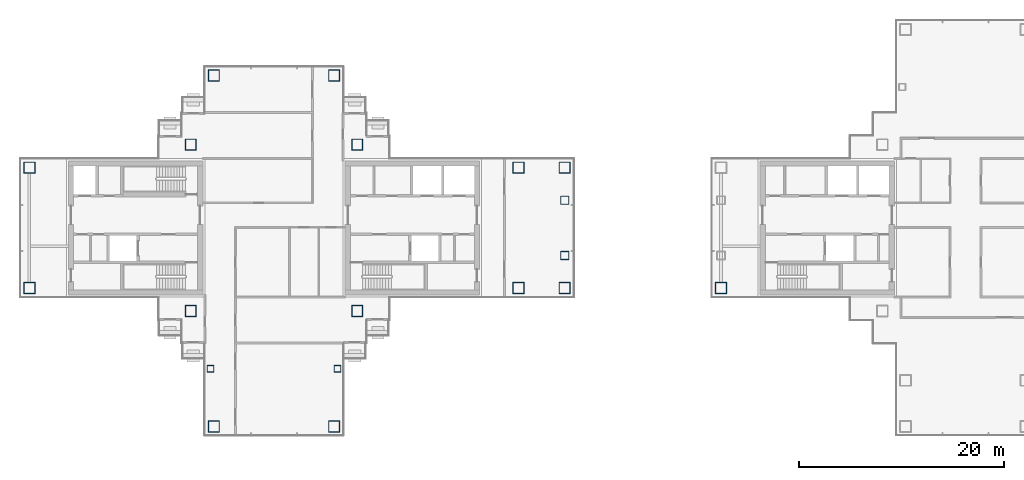
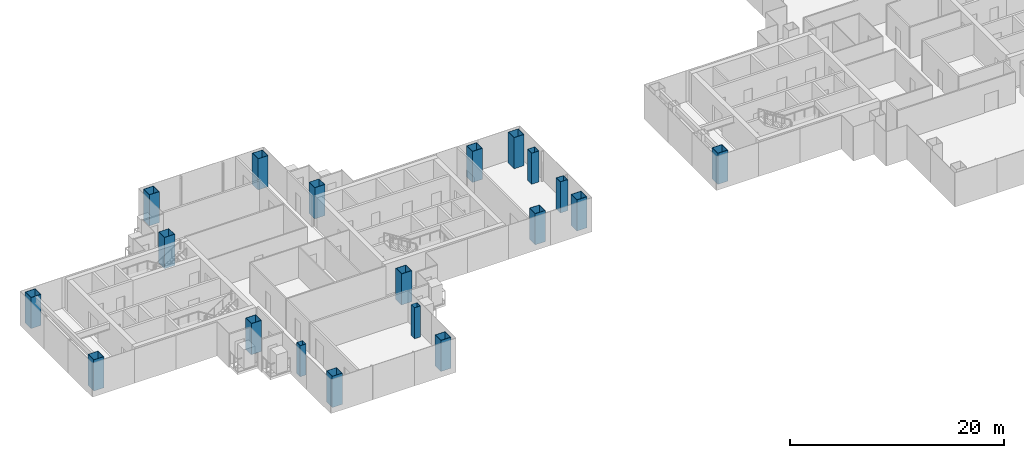
# One storey, part 1 of 16: 19 columns.
"""IFC4 building model written with IfcOpenShell, lengths in metres."""

from ifc_helpers import new_model, si_unit, direction, frame, origin, origin_2d, place, context, subcontext, project, spatial, hollow_rectangle, extrude, material, material_profile, profile_set, type_object, element, save


model = new_model("IFC4")

# Units and contexts
model_context = context("Model", 3, precision=1e-05, world=origin(), true_north=direction((0.0, 1.0)))
body_context = subcontext(model_context, "Body", "Model", "MODEL_VIEW")
ifc_project = project(units=[si_unit("LENGTHUNIT", "METRE"), si_unit("AREAUNIT", "SQUARE_METRE"), si_unit("VOLUMEUNIT", "CUBIC_METRE"), si_unit("PLANEANGLEUNIT", "RADIAN"), si_unit("MASSUNIT", "GRAM", prefix="KILO")], contexts=[model_context])

# Site, building, storey
site_placement = place(None, origin())
site = spatial("IfcSite", under=ifc_project, at=site_placement, CompositionType="ELEMENT")
building_placement = place(site_placement, origin())
building = spatial("IfcBuilding", under=site, at=building_placement, Name="Shamsa Quay Exchange Towers", CompositionType="ELEMENT")
storey_placement = place(building_placement, frame((0.0, 0.0, 142.800048828125)))
storey = spatial("IfcBuildingStorey", under=building, at=storey_placement, Name="L33", CompositionType="ELEMENT", Elevation=142.800048828125)

# Columns
ifc_material_1 = material(Name="Concrete-filled steel tube S355 / C80/95", Category="concrete")
ifc_material_profile_1 = material_profile(ifc_material_1, hollow_rectangle(XDim=1.10009765625, YDim=1.10009765625, WallThickness=0.0400390625, at=origin_2d()), Name="CFT 1100x1100x40")
ifc_profile_set_1 = profile_set([ifc_material_profile_1], Name="Concrete-filled steel tube S355 / C80/95")
column_type_1 = type_object("IfcColumnType", Name="Column CFT 1100x1100x40", PredefinedType="COLUMN", material=ifc_profile_set_1)
for number, where, name in (
    (1, (-25.625, 8.125, 0.0), "Mega column T1-CM01"),
    (2, (-25.625, -8.125, 0.0), "Mega column T1-CM02"),
    (3, (-41.875, 8.125, 0.0), "Mega column T1-CM03"),
    (4, (-41.875, -8.125, 0.0), "Mega column T1-CM04"),
    (5, (-9.875, -5.875, 0.0), "Mega column T1-CM05"),
    (6, (-5.375, -5.875, 0.0), "Mega column T1-CM06"),
    (7, (-9.875, 5.875, 0.0), "Mega column T1-CM07"),
    (8, (-5.375, 5.875, 0.0), "Mega column T1-CM08"),
    (9, (-57.625, -5.875, 0.0), "Mega column T1-CM09"),
    (10, (-57.625, 5.875, 0.0), "Mega column T1-CM11"),
    (11, (-39.625, 14.875, 0.0), "Mega column T1-CM13"),
    (12, (-27.875, 14.875, 0.0), "Mega column T1-CM16"),
    (13, (-39.625, -19.375, 0.0), "Mega column T1-CM20"),
    (14, (-27.875, -19.375, 0.0), "Mega column T1-CM23"),
    (15, (9.875, -5.875, 0.0), "Mega column T2-CM19"),
):
    element("IfcColumn", number, at=place(storey_placement, frame(where)), inside=storey, type_object=column_type_1, Name=name, PredefinedType="COLUMN", context=body_context, shape_type="SweptSolid", body=[
        extrude(hollow_rectangle(XDim=1.10009765625, YDim=1.10009765625, WallThickness=0.0400390625, at=origin_2d()), origin(), (0.0, 0.0, 1.0), 3.550048828125),
    ])
ifc_material_2 = material(Name="Concrete-filled steel tube S355 / C60/75", Category="concrete")
ifc_material_profile_2 = material_profile(ifc_material_2, hollow_rectangle(XDim=0.64990234375, YDim=0.64990234375, WallThickness=0.02001953125, at=origin_2d()), Name="CFT 650x650x20")
ifc_profile_set_2 = profile_set([ifc_material_profile_2], Name="Concrete-filled steel tube S355 / C60/75")
column_type_2 = type_object("IfcColumnType", Name="Column CFT 650x650x20", PredefinedType="COLUMN", material=ifc_profile_set_2)
for number, where, name in (
    (16, (-39.9375, -13.75, 0.0), "Perimeter column T1-CP19"),
    (17, (-27.5625, -13.75, 0.0), "Perimeter column T1-CP22"),
):
    element("IfcColumn", number, at=place(storey_placement, frame(where)), inside=storey, type_object=column_type_2, Name=name, PredefinedType="COLUMN", context=body_context, shape_type="SweptSolid", body=[
        extrude(hollow_rectangle(XDim=0.64990234375, YDim=0.64990234375, WallThickness=0.02001953125, at=origin_2d()), origin(), (0.0, 0.0, 1.0), 3.550048828125),
    ])
ifc_material_3 = material(Name="Concrete-filled steel tube S355 / C70/85", Category="concrete")
ifc_material_profile_3 = material_profile(ifc_material_3, hollow_rectangle(XDim=0.800048828125, YDim=0.800048828125, WallThickness=0.030029296875, at=origin_2d()), Name="CFT 800x800x30")
ifc_profile_set_3 = profile_set([ifc_material_profile_3], Name="Concrete-filled steel tube S355 / C70/85")
column_type_3 = type_object("IfcColumnType", Name="Landing column CFT 800x800x30", PredefinedType="COLUMN", material=ifc_profile_set_3)
for number, where, name in (
    (18, (-5.375, -2.699951171875, 0.0), "Landing column T1 S"),
    (19, (-5.375, 2.699951171875, 0.0), "Landing column T1 N"),
):
    element("IfcColumn", number, at=place(storey_placement, frame(where)), inside=storey, type_object=column_type_3, Name=name, PredefinedType="COLUMN", context=body_context, shape_type="SweptSolid", body=[
        extrude(hollow_rectangle(XDim=0.800048828125, YDim=0.800048828125, WallThickness=0.030029296875, at=origin_2d()), origin(), (0.0, 0.0, 1.0), 3.550048828125),
    ])

save(model, "model.ifc")
